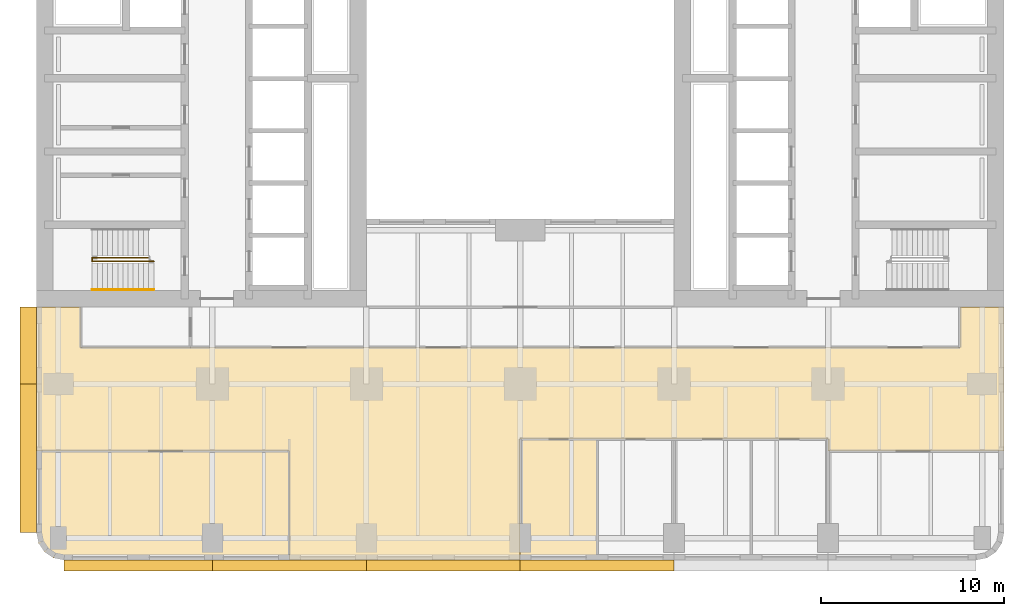
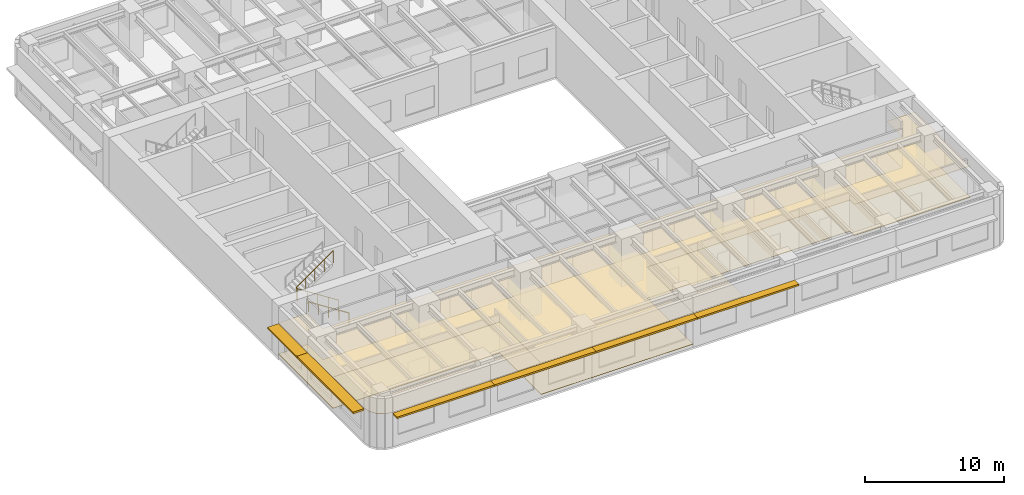
# One storey, part 9 of 14: 6 shading devices, 4 coverings, 2 railings.
"""IFC4 building model written with IfcOpenShell, lengths in metres."""

import ifcopenshell
import ifcopenshell.guid

model = None  # the IFC model being written
_history = None  # IfcOwnerHistory: only IFC2X3 demands one
_inside = {}  # id of a spatial element -> (the spatial element, [elements in it])
_under = {}  # id of a project, library or spatial element -> (it, [spatial elements below it])
_declared = {}  # id of a project -> (the project, [libraries it declares])
_typed = {}  # id of a type object -> (the type object, [elements of that type])
_made_of = {}  # id of a material, layer set ... -> (it, [elements and type objects made of it])


def new_model(schema):
    """Start an empty IFC model of exactly this schema.

    Asked for "IFC4X3", IfcOpenShell would pick the latest addendum, in which some entities
    have other attributes; the version numbers below select the first issue.
    IFC2X3 requires an IfcOwnerHistory on every rooted entity: one is made here for all.
    """
    global model, _history
    if schema == "IFC4X3":
        model = ifcopenshell.file(schema_version=(4, 3, 0, 0))
    else:
        model = ifcopenshell.file(schema=schema)
    _inside.clear()
    _under.clear()
    _declared.clear()
    _typed.clear()
    _made_of.clear()
    _history = None
    if model.schema == "IFC2X3":
        org = make("IfcOrganization", Name="unknown")
        user = make(
            "IfcPersonAndOrganization",
            ThePerson=make("IfcPerson", FamilyName="unknown"),
            TheOrganization=org,
        )
        app = make(
            "IfcApplication",
            ApplicationDeveloper=org,
            Version="unknown",
            ApplicationFullName="unknown",
            ApplicationIdentifier="unknown",
        )
        _history = make(
            "IfcOwnerHistory",
            OwningUser=user,
            OwningApplication=app,
            ChangeAction="ADDED",
            CreationDate=0,
        )
    return model


def make(cls, **values):
    """One entity of the class cls with the attributes given. An attribute that is None is left unset."""
    return model.create_entity(
        cls, **{name: value for name, value in values.items() if value is not None}
    )


def rooted(cls, **values):
    """An entity with a GlobalId (a new one), such as an element, a storey or a relation."""
    return make(cls, GlobalId=ifcopenshell.guid.new(), OwnerHistory=_history, **values)


def si_unit(unit_type, name, prefix=None):
    """IfcSIUnit, for example si_unit("LENGTHUNIT", "METRE", prefix="MILLI")."""
    return make("IfcSIUnit", UnitType=unit_type, Prefix=prefix, Name=name)


def assignment(units):
    """IfcUnitAssignment: the units of a project."""
    return None if units is None else make("IfcUnitAssignment", Units=units)


def point(xyz):
    """IfcCartesianPoint."""
    return None if xyz is None else make("IfcCartesianPoint", Coordinates=xyz)


def direction(xyz):
    """IfcDirection."""
    return None if xyz is None else make("IfcDirection", DirectionRatios=xyz)


def frame(location, z_axis=None, x_axis=None):
    """IfcAxis2Placement3D, a coordinate frame: its origin and axes. An axis left out is left unset."""
    return make(
        "IfcAxis2Placement3D",
        Location=point(location),
        Axis=direction(z_axis),
        RefDirection=direction(x_axis),
    )


def frame_2d(location, x_axis=None):
    """IfcAxis2Placement2D, a coordinate frame in the plane: its origin and x axis."""
    return make(
        "IfcAxis2Placement2D", Location=point(location), RefDirection=direction(x_axis)
    )


def origin():
    """The frame at (0, 0, 0) with its axes left unset."""
    return frame((0.0, 0.0, 0.0))


def origin_2d():
    """The frame at (0, 0) in the plane with its x axis left unset."""
    return frame_2d((0.0, 0.0))


def place(relative_to, where):
    """IfcLocalPlacement: puts the frame where relative to a parent placement (None: the world)."""
    return make(
        "IfcLocalPlacement", PlacementRelTo=relative_to, RelativePlacement=where
    )


def context(
    kind, dimensions, precision=None, world=None, true_north=None, identifier=None
):
    """IfcGeometricRepresentationContext, for example the 3D "Model" context."""
    return make(
        "IfcGeometricRepresentationContext",
        ContextIdentifier=identifier,
        ContextType=kind,
        CoordinateSpaceDimension=dimensions,
        Precision=precision,
        WorldCoordinateSystem=world,
        TrueNorth=true_north,
    )


def subcontext(parent, identifier, kind, view, scale=None):
    """IfcGeometricRepresentationSubContext, for example "Body" below "Model"."""
    return make(
        "IfcGeometricRepresentationSubContext",
        ContextIdentifier=identifier,
        ContextType=kind,
        ParentContext=parent,
        TargetScale=scale,
        TargetView=view,
    )


def project(units=None, contexts=None):
    """IfcProject with its units and contexts."""
    return rooted(
        "IfcProject",
        Name="project",
        RepresentationContexts=contexts,
        UnitsInContext=assignment(units),
    )


def spatial(cls, under=None, at=None, **own):
    """A site, building, storey or space (cls), placed at a placement, below another one or the project."""
    s = rooted(cls, ObjectPlacement=at, **own)
    if under is not None:
        _under.setdefault(under.id(), (under, []))[1].append(s)
    return s


def polyline(points):
    """IfcPolyline through the points."""
    return make("IfcPolyline", Points=[point(p) for p in points])


def profile(cls, at=None, kind="AREA", **sizes):
    """A parametric profile (cls). Its sizes go by their IFC names, for example OverallWidth=200.0."""
    return make(cls, ProfileType=kind, Position=at, **sizes)


def rectangle(**sizes):
    """IfcRectangleProfileDef."""
    return profile("IfcRectangleProfileDef", **sizes)


def circle(**sizes):
    """IfcCircleProfileDef."""
    return profile("IfcCircleProfileDef", **sizes)


def outline(outer, holes=None, kind="AREA"):
    """IfcArbitraryClosedProfileDef: a profile drawn as a closed curve; with holes, ...WithVoids."""
    if holes is None:
        return make("IfcArbitraryClosedProfileDef", ProfileType=kind, OuterCurve=outer)
    return make(
        "IfcArbitraryProfileDefWithVoids",
        ProfileType=kind,
        OuterCurve=outer,
        InnerCurves=holes,
    )


def extrude(swept, where, along, depth):
    """IfcExtrudedAreaSolid: the profile swept, set in the frame where, extruded along a direction by depth."""
    return make(
        "IfcExtrudedAreaSolid",
        SweptArea=swept,
        Position=where,
        ExtrudedDirection=direction(along),
        Depth=depth,
    )


def shape(context_of_items, identifier, shape_type, items):
    """IfcShapeRepresentation: the items that make up one representation, for example the "Body"."""
    return make(
        "IfcShapeRepresentation",
        ContextOfItems=context_of_items,
        RepresentationIdentifier=identifier,
        RepresentationType=shape_type,
        Items=items,
    )


def material(Name=None, Category=None):
    """IfcMaterial."""
    return make("IfcMaterial", Name=Name, Category=Category)


def layer(
    of_material, thickness, ventilated=None, Name=None, Category=None, Priority=None
):
    """IfcMaterialLayer: one layer of a wall or slab, of a material (None: an air gap)."""
    return make(
        "IfcMaterialLayer",
        Material=of_material,
        LayerThickness=thickness,
        IsVentilated=ventilated,
        Name=Name,
        Category=Category,
        Priority=Priority,
    )


def layer_set(layers, Name=None):
    """IfcMaterialLayerSet."""
    return make("IfcMaterialLayerSet", MaterialLayers=layers, LayerSetName=Name)


def made_of(thing, what):
    """Note that an element or type object is made of a material, layer set ...; save() writes the relation."""
    if what is not None:
        _made_of.setdefault(what.id(), (what, []))[1].append(thing)
    return thing


def type_object(cls, material=None, **own):
    """A type object (cls), such as IfcWallType, which elements share."""
    return made_of(rooted(cls, **own), material)


def element(
    cls,
    number,
    at=None,
    inside=None,
    cuts=None,
    type_object=None,
    material=None,
    context=None,
    identifier="Body",
    shape_type=None,
    held_by="IfcProductDefinitionShape",
    body=None,
    shapes=None,
    **own,
):
    """One element of the class cls, such as IfcWall. Its Tag is "e" and its number.

    at: its placement. inside: the storey or other place that contains it. cuts: it is an
    opening in that element (IfcRelVoidsElement). A single representation is given by context,
    identifier, shape_type and body (its items); several are given by shapes. held_by: the class
    of the entity that holds the representations. save() writes the other relations.
    """
    e = rooted(cls, Tag="e%d" % number, ObjectPlacement=at, **own)
    if body is not None:
        shapes = [shape(context, identifier, shape_type, body)]
    if shapes is not None:
        e.Representation = make(held_by, Representations=shapes)
    if inside is not None:
        _inside.setdefault(inside.id(), (inside, []))[1].append(e)
    if cuts is not None:
        rooted(
            "IfcRelVoidsElement", RelatingBuildingElement=cuts, RelatedOpeningElement=e
        )
    if type_object is not None:
        _typed.setdefault(type_object.id(), (type_object, []))[1].append(e)
    return made_of(e, material)


def aggregate(whole, parts):
    """IfcRelAggregates: a whole, such as a stair, and the parts it consists of."""
    return rooted("IfcRelAggregates", RelatingObject=whole, RelatedObjects=parts)


def save(model, path):
    """Write the relations noted so far, then the file.

    IfcRelAggregates (storeys below a building ...), IfcRelContainedInSpatialStructure (elements
    in a storey), IfcRelDefinesByType, IfcRelAssociatesMaterial and IfcRelDeclares: one each for
    every whole, place, type object, material and project.
    """
    for whole, parts in _under.values():
        aggregate(whole, parts)
    for where, things in _inside.values():
        rooted(
            "IfcRelContainedInSpatialStructure",
            RelatedElements=things,
            RelatingStructure=where,
        )
    for kind, things in _typed.values():
        rooted("IfcRelDefinesByType", RelatedObjects=things, RelatingType=kind)
    for what, things in _made_of.values():
        rooted("IfcRelAssociatesMaterial", RelatedObjects=things, RelatingMaterial=what)
    for by, libraries in _declared.values():
        rooted("IfcRelDeclares", RelatingContext=by, RelatedDefinitions=libraries)
    model.write(path)


model = new_model("IFC4")

# Units and contexts
model_context = context("Model", 3, precision=1e-05, world=origin(), true_north=direction((0.0, 1.0)))
body_context = subcontext(model_context, "Body", "Model", "MODEL_VIEW")
ifc_project = project(units=[si_unit("LENGTHUNIT", "METRE"), si_unit("AREAUNIT", "SQUARE_METRE"), si_unit("VOLUMEUNIT", "CUBIC_METRE"), si_unit("PLANEANGLEUNIT", "RADIAN"), si_unit("MASSUNIT", "GRAM", prefix="KILO")], contexts=[model_context])

# Site, building, storey
site_placement = place(None, origin())
site = spatial("IfcSite", under=ifc_project, at=site_placement, CompositionType="ELEMENT")
building_placement = place(site_placement, origin())
building = spatial("IfcBuilding", under=site, at=building_placement, Name="Claustro Exchange Tower", CompositionType="ELEMENT")
storey_placement = place(building_placement, frame((0.0, 0.0, 32.39990234375)))
storey = spatial("IfcBuildingStorey", under=building, at=storey_placement, Name="L07", CompositionType="ELEMENT", Elevation=32.39990234375)

# Coverings
ifc_material_1 = material(Name="Gypsum board ceiling", Category="gypsum board")
ifc_layer_1 = layer(ifc_material_1, 0.02490234375)
ifc_layer_set_1 = layer_set([ifc_layer_1], Name="Gypsum board ceiling")
covering_type_1 = type_object("IfcCoveringType", Name="CL2 plasterboard ceiling", PredefinedType="CEILING", material=ifc_layer_set_1)
covering_1_placement = place(storey_placement, frame((0.0, 0.0, 3.0)))
element("IfcCovering", 1, at=covering_1_placement, inside=storey, type_object=covering_type_1, Name="Ceiling CL2 L07-01", PredefinedType="CEILING", context=body_context, shape_type="SweptSolid", body=[
    extrude(outline(polyline([(-1.085693359375, -0.27392578125), (-0.7607421875, -0.7607421875), (-0.27392578125, -1.085693359375), (0.300048828125, -1.199951171875), (12.60009765625, -1.199951171875), (12.60009765625, 4.75), (-1.199951171875, 4.75), (-1.199951171875, 0.300048828125), (-1.085693359375, -0.27392578125)])), origin(), (0.0, 0.0, 1.0), 0.025146484375),
])
covering_2_placement = place(storey_placement, frame((0.0, 0.0, 3.0)))
element("IfcCovering", 2, at=covering_2_placement, inside=storey, type_object=covering_type_1, Name="Ceiling CL2 L07-03", PredefinedType="CEILING", context=body_context, shape_type="SweptSolid", body=[
    extrude(outline(polyline([(25.199951171875, -1.199951171875), (29.39990234375, -1.199951171875), (29.39990234375, 5.39990234375), (25.199951171875, 5.39990234375), (25.199951171875, -1.199951171875)])), origin(), (0.0, 0.0, 1.0), 0.025146484375),
])
covering_3_placement = place(storey_placement, frame((0.0, 0.0, 3.0)))
element("IfcCovering", 3, at=covering_3_placement, inside=storey, type_object=covering_type_1, Name="Ceiling CL2 L07-07", PredefinedType="CEILING", context=body_context, shape_type="SweptSolid", body=[
    extrude(outline(polyline([(-1.199951171875, 12.60009765625), (-1.199951171875, 4.75), (12.60009765625, 4.75), (12.60009765625, -1.199951171875), (25.199951171875, -1.199951171875), (25.199951171875, 5.39990234375), (29.39990234375, 5.39990234375), (33.60009765625, 5.39990234375), (37.800048828125, 5.39990234375), (42.0, 5.39990234375), (42.0, 4.75), (51.60009765625, 4.75), (51.60009765625, 12.60009765625), (49.199951171875, 12.60009765625), (49.199951171875, 10.39990234375), (7.199951171875, 10.39990234375), (1.199951171875, 10.39990234375), (1.199951171875, 12.60009765625), (-1.199951171875, 12.60009765625)])), origin(), (0.0, 0.0, 1.0), 0.025146484375),
])

# Railings
ifc_material_2 = material(Name="Steel balustrade, painted", Category="steel")
railing_type_1 = type_object("IfcRailingType", Name="GR2 1100 steel stair guard", PredefinedType="GUARDRAIL", material=ifc_material_2)
railing_1_placement = place(storey_placement, frame((5.199951171875, 15.10009765625, 0.18017578125)))
element("IfcRailing", 4, at=railing_1_placement, inside=storey, type_object=railing_type_1, Name="Stair well guard GR2 stair STWA L07", PredefinedType="GUARDRAIL", context=body_context, shape_type="SweptSolid", body=[
    extrude(circle(Radius=0.02392578125, at=origin_2d()), frame((0.0, 0.0, 1.076171875), z_axis=(-0.841178475377, 0.0, 0.540757591313), x_axis=(0.0, -1.0, 0.0)), (0.0, 0.0, 1.0), 3.994140625),
    extrude(circle(Radius=0.02392578125, at=origin_2d()), frame((-3.35986328125, 0.0, 3.23583984375), z_axis=(0.0, 1.0, 0.0), x_axis=(-1.0, 0.0, 0.0)), (0.0, 0.0, 1.0), 0.199951171875),
    extrude(circle(Radius=0.02392578125, at=origin_2d()), frame((-3.35986328125, 0.199951171875, 3.23583984375), z_axis=(0.818728512145, 0.0, 0.574180828137), x_axis=(0.0, 1.0, 0.0)), (0.0, 0.0, 1.0), 3.76171875),
    extrude(circle(Radius=0.02099609375, at=origin_2d()), origin(), (0.0, 0.0, 1.0), 1.052001953125),
    extrude(circle(Radius=0.02099609375, at=origin_2d()), frame((-0.83984375, 0.0, 0.5400390625)), (0.0, 0.0, 1.0), 1.052001953125),
    extrude(circle(Radius=0.02099609375, at=origin_2d()), frame((-1.679931640625, 0.0, 1.080078125)), (0.0, 0.0, 1.0), 1.052001953125),
    extrude(circle(Radius=0.02099609375, at=origin_2d()), frame((-2.52001953125, 0.0, 1.619873046875)), (0.0, 0.0, 1.0), 1.052001953125),
    extrude(circle(Radius=0.02099609375, at=origin_2d()), frame((-3.35986328125, 0.0, 2.159912109375)), (0.0, 0.0, 1.0), 1.052001953125),
    extrude(circle(Radius=0.02099609375, at=origin_2d()), frame((-3.35986328125, 0.199951171875, 2.159912109375)), (0.0, 0.0, 1.0), 1.052001953125),
    extrude(circle(Radius=0.02099609375, at=origin_2d()), frame((-2.58984375, 0.199951171875, 2.699951171875)), (0.0, 0.0, 1.0), 1.052001953125),
    extrude(circle(Radius=0.02099609375, at=origin_2d()), frame((-1.81982421875, 0.199951171875, 3.23974609375)), (0.0, 0.0, 1.0), 1.052001953125),
    extrude(circle(Radius=0.02099609375, at=origin_2d()), frame((-1.050048828125, 0.199951171875, 3.77978515625)), (0.0, 0.0, 1.0), 1.052001953125),
    extrude(circle(Radius=0.02099609375, at=origin_2d()), frame((-0.280029296875, 0.199951171875, 4.31982421875)), (0.0, 0.0, 1.0), 1.052001953125),
])
ifc_material_3 = material(Name="Stainless steel tube", Category="steel")
railing_type_2 = type_object("IfcRailingType", Name="HR1 900 stair handrail", PredefinedType="HANDRAIL", material=ifc_material_3)
railing_2_placement = place(storey_placement, frame((5.199951171875, 13.56005859375, 0.18017578125)))
element("IfcRailing", 5, at=railing_2_placement, inside=storey, type_object=railing_type_2, Name="Handrail HR1 stair STWA L07", PredefinedType="HANDRAIL", context=body_context, shape_type="SweptSolid", body=[
    extrude(circle(Radius=0.02392578125, at=origin_2d()), frame((0.0, 0.0, 0.8759765625), z_axis=(-0.841178475377, 0.0, 0.540757591313), x_axis=(0.0, -1.0, 0.0)), (0.0, 0.0, 1.0), 3.994140625),
    extrude(circle(Radius=0.02099609375, at=origin_2d()), origin(), (0.0, 0.0, 1.0), 0.851806640625),
    extrude(circle(Radius=0.02099609375, at=origin_2d()), frame((-0.83984375, 0.0, 0.5400390625)), (0.0, 0.0, 1.0), 0.851806640625),
    extrude(circle(Radius=0.02099609375, at=origin_2d()), frame((-1.679931640625, 0.0, 1.080078125)), (0.0, 0.0, 1.0), 0.851806640625),
    extrude(circle(Radius=0.02099609375, at=origin_2d()), frame((-2.52001953125, 0.0, 1.619873046875)), (0.0, 0.0, 1.0), 0.851806640625),
    extrude(circle(Radius=0.02099609375, at=origin_2d()), frame((-3.35986328125, 0.0, 2.159912109375)), (0.0, 0.0, 1.0), 0.851806640625),
])

# Covering
ifc_material_4 = material(Name="Steel-encased raised floor panels on pedestals", Category="steel")
ifc_layer_2 = layer(ifc_material_4, 0.0400390625)
ifc_layer_set_2 = layer_set([ifc_layer_2], Name="Steel-encased raised floor panels on pedestals")
covering_type_2 = type_object("IfcCoveringType", Name="RF1 300 raised access floor", PredefinedType="FLOORING", material=ifc_layer_set_2)
covering_4_placement = place(storey_placement, frame((0.0, 0.0, 0.260009765625)))
element("IfcCovering", 6, at=covering_4_placement, inside=storey, type_object=covering_type_2, Name="Raised access floor RF1 L07-07", PredefinedType="FLOORING", context=body_context, shape_type="SweptSolid", body=[
    extrude(outline(polyline([(-1.199951171875, 12.60009765625), (-1.199951171875, 4.75), (12.60009765625, 4.75), (12.60009765625, -1.199951171875), (25.199951171875, -1.199951171875), (25.199951171875, 5.39990234375), (29.39990234375, 5.39990234375), (33.60009765625, 5.39990234375), (37.800048828125, 5.39990234375), (42.0, 5.39990234375), (42.0, 4.75), (51.60009765625, 4.75), (51.60009765625, 12.60009765625), (49.199951171875, 12.60009765625), (49.199951171875, 10.39990234375), (7.199951171875, 10.39990234375), (1.199951171875, 10.39990234375), (1.199951171875, 12.60009765625), (-1.199951171875, 12.60009765625)])), origin(), (0.0, 0.0, 1.0), 0.0400390625),
])

# Shading devices
ifc_material_5 = material(Name="Concrete HA-40 (C40/50), precast, white cement, acid-etched", Category="concrete")
ifc_layer_3 = layer(ifc_material_5, 0.14990234375)
ifc_layer_set_3 = layer_set([ifc_layer_3], Name="Concrete HA-40 (C40/50), precast, white cement, acid-etched")
shading_device_type_1 = type_object("IfcShadingDeviceType", Name="SS1 600 precast concrete SUNSHADE", PredefinedType="SHUTTER", material=ifc_layer_set_3)
for number, where, z_axis, x_axis, name in (
    (7, (29.39990234375, -1.5, 2.800048828125), (0.0, 0.0, 1.0), (-1.0, 0.0, 0.0), "Precast SUNSHADE SS1 L07"),
    (8, (21.0, -1.5, 2.800048828125), (0.0, 0.0, 1.0), (-1.0, 0.0, 0.0), "Precast SUNSHADE SS1 L07"),
    (9, (12.60009765625, -1.5, 2.800048828125), (0.0, 0.0, 1.0), (-1.0, 0.0, 0.0), "Precast SUNSHADE SS1 L07"),
):
    element("IfcShadingDevice", number, at=place(storey_placement, frame(where, z_axis=z_axis, x_axis=x_axis)), inside=storey, type_object=shading_device_type_1, Name=name, PredefinedType="SHUTTER", context=body_context, shape_type="SweptSolid", body=[
        extrude(rectangle(XDim=8.39990234375, YDim=0.60009765625, at=origin_2d()), origin(), (0.0, 0.0, 1.0), 0.14990234375),
    ])
shading_device_1_placement = place(storey_placement, frame((4.357421875, -1.5, 2.800048828125), z_axis=(0.0, 0.0, 1.0), x_axis=(-1.0, 0.0, 0.0)))
element("IfcShadingDevice", 10, at=shading_device_1_placement, inside=storey, type_object=shading_device_type_1, Name="Precast SUNSHADE SS1 L07", PredefinedType="SHUTTER", context=body_context, shape_type="SweptSolid", body=[
    extrude(rectangle(XDim=8.085205078125, YDim=0.60009765625, at=origin_2d()), origin(), (0.0, 0.0, 1.0), 0.14990234375),
])
ifc_material_6 = material(Name="Concrete HA-40 (C40/50), precast, white cement, acid-etched", Category="concrete")
ifc_layer_4 = layer(ifc_material_6, 0.14990234375)
ifc_layer_set_4 = layer_set([ifc_layer_4], Name="Concrete HA-40 (C40/50), precast, white cement, acid-etched")
shading_device_type_2 = type_object("IfcShadingDeviceType", Name="SS2 900 precast concrete SUNSHADE", PredefinedType="SHUTTER", material=ifc_layer_set_4)
shading_device_2_placement = place(storey_placement, frame((-1.64990234375, 4.357421875, 2.800048828125), z_axis=(0.0, 0.0, 1.0), x_axis=(0.0, 1.0, 0.0)))
element("IfcShadingDevice", 11, at=shading_device_2_placement, inside=storey, type_object=shading_device_type_2, Name="Precast SUNSHADE SS2 L07", PredefinedType="SHUTTER", context=body_context, shape_type="SweptSolid", body=[
    extrude(rectangle(XDim=8.085205078125, YDim=0.89990234375, at=origin_2d()), origin(), (0.0, 0.0, 1.0), 0.14990234375),
])
shading_device_3_placement = place(storey_placement, frame((-1.64990234375, 10.5, 2.800048828125), z_axis=(0.0, 0.0, 1.0), x_axis=(0.0, 1.0, 0.0)))
element("IfcShadingDevice", 12, at=shading_device_3_placement, inside=storey, type_object=shading_device_type_2, Name="Precast SUNSHADE SS2 L07", PredefinedType="SHUTTER", context=body_context, shape_type="SweptSolid", body=[
    extrude(rectangle(XDim=4.199951171875, YDim=0.89990234375, at=origin_2d()), origin(), (0.0, 0.0, 1.0), 0.14990234375),
])

save(model, "model.ifc")
